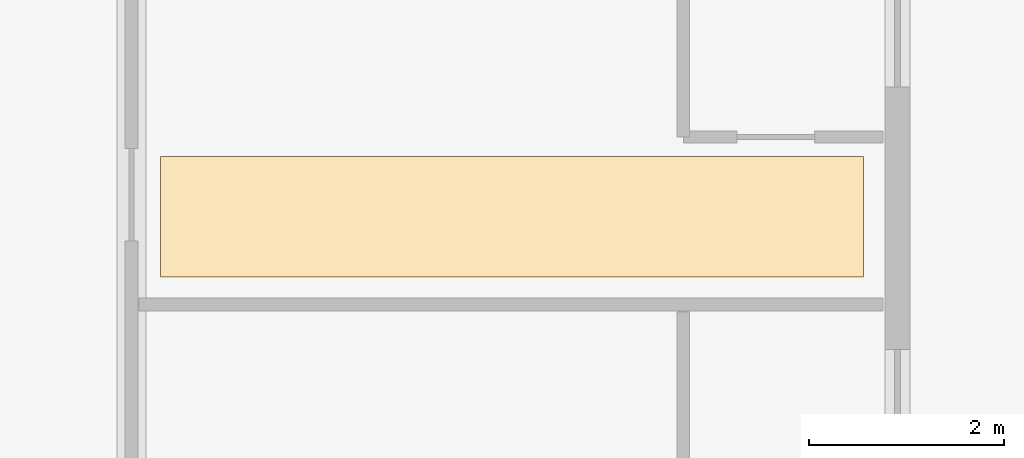
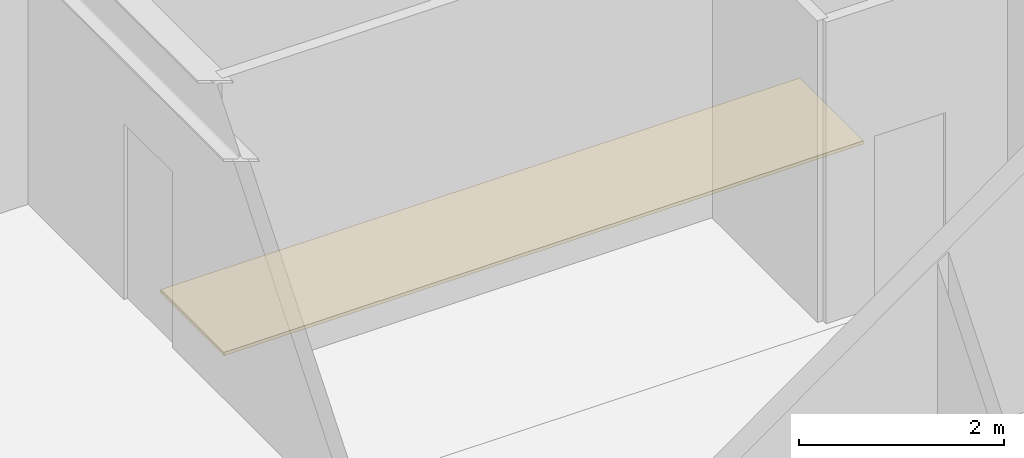
# One storey, part 12 of 13: 1 covering.
"""IFC4 building model written with IfcOpenShell, lengths in metres."""

from ifc_helpers import new_model, si_unit, direction, frame, origin, place, context, subcontext, project, spatial, polyline, outline, extrude, material, layer, layer_set, type_object, element, save


model = new_model("IFC4")

# Units and contexts
model_context = context("Model", 3, precision=1e-05, world=origin(), true_north=direction((0.0, 1.0)))
body_context = subcontext(model_context, "Body", "Model", "MODEL_VIEW")
ifc_project = project(units=[si_unit("LENGTHUNIT", "METRE"), si_unit("AREAUNIT", "SQUARE_METRE"), si_unit("VOLUMEUNIT", "CUBIC_METRE"), si_unit("PLANEANGLEUNIT", "RADIAN"), si_unit("MASSUNIT", "GRAM", prefix="KILO")], contexts=[model_context])

# Site, building, storey
site_placement = place(None, origin())
site = spatial("IfcSite", under=ifc_project, at=site_placement, CompositionType="ELEMENT")
building_placement = place(site_placement, origin())
building = spatial("IfcBuilding", under=site, at=building_placement, Name="Kundavana Baori Tower", CompositionType="ELEMENT")
storey_placement = place(building_placement, frame((0.0, 0.0, 192.550048828125)))
storey = spatial("IfcBuildingStorey", under=building, at=storey_placement, Name="L47", CompositionType="ELEMENT", Elevation=192.550048828125)

# Covering
ifc_material = material(Name="Honed Kota Stone and Terrazzo Flooring", Category="masonry")
ifc_layer = layer(ifc_material, 0.0400390625, Name="COV-FLR-TERR-40")
ifc_layer_set = layer_set([ifc_layer], Name="Honed Kota Stone and Terrazzo Flooring")
covering_type = type_object("IfcCoveringType", Name="COV-FLR-TERR-40", PredefinedType="FLOORING", material=ifc_layer_set)
covering_placement = place(storey_placement, origin())
element("IfcCovering", 1, at=covering_placement, inside=storey, type_object=covering_type, Name="L47 Room Finished Stone Flooring 9", PredefinedType="FLOORING", context=body_context, shape_type="SweptSolid", body=[
    extrude(outline(polyline([(43.10009765625, 38.280029296875), (50.320068359375, 38.280029296875), (50.320068359375, 39.52001953125), (43.10009765625, 39.52001953125), (43.10009765625, 38.280029296875)])), origin(), (0.0, 0.0, 1.0), 0.0400390625),
])

save(model, "model.ifc")
